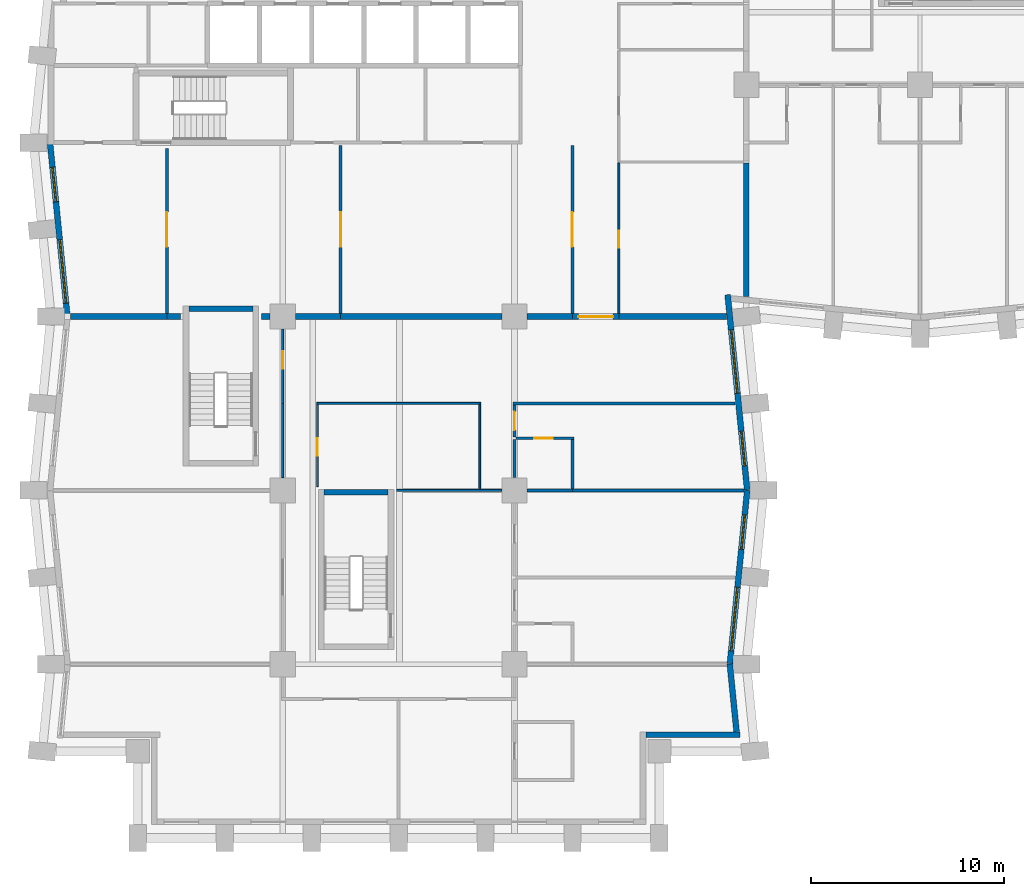
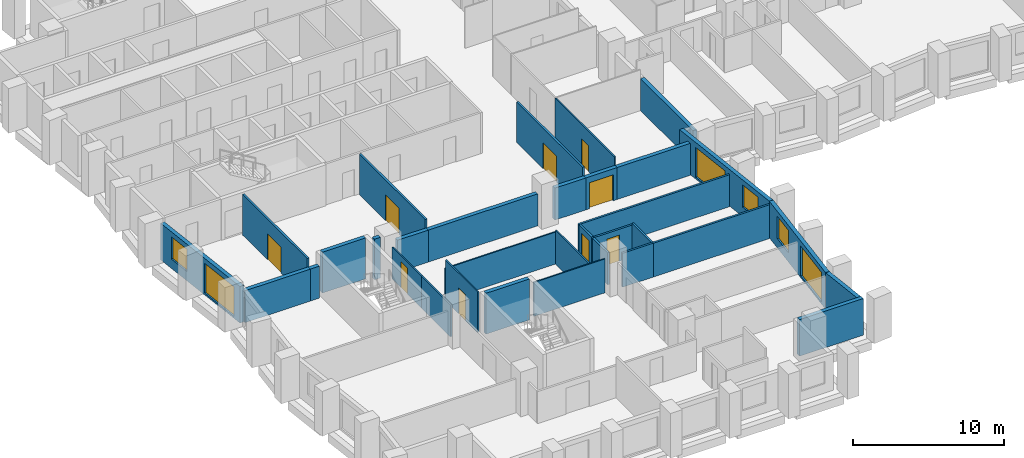
# One storey, part 4 of 12: 33 walls, 9 doors, 6 windows, 15 openings.
"""IFC4 building model written with IfcOpenShell, lengths in metres."""

from ifc_helpers import new_model, si_unit, direction, frame, frame_2d, origin, place, context, subcontext, project, spatial, rectangle, extrude, material, layer, layer_set, type_object, element, fill, save


model = new_model("IFC4")

# Units and contexts
model_context = context("Model", 3, precision=1e-05, world=origin(), true_north=direction((0.0, 1.0)))
body_context = subcontext(model_context, "Body", "Model", "MODEL_VIEW")
ifc_project = project(units=[si_unit("LENGTHUNIT", "METRE"), si_unit("AREAUNIT", "SQUARE_METRE"), si_unit("VOLUMEUNIT", "CUBIC_METRE"), si_unit("PLANEANGLEUNIT", "RADIAN"), si_unit("MASSUNIT", "GRAM", prefix="KILO")], contexts=[model_context])

# Site, building, storey
site_placement = place(None, origin())
site = spatial("IfcSite", under=ifc_project, at=site_placement, CompositionType="ELEMENT")
building_placement = place(site_placement, origin())
building = spatial("IfcBuilding", under=site, at=building_placement, Name="Brondeck Convention Tower", CompositionType="ELEMENT")
storey_placement = place(building_placement, frame((0.0, 0.0, 77.10009765625)))
storey = spatial("IfcBuildingStorey", under=building, at=storey_placement, Name="L17", CompositionType="ELEMENT", Elevation=77.10009765625)

# Walls
ifc_material_1 = material(Name="Concrete compartment wall C30/37", Category="concrete")
ifc_layer_1 = layer(ifc_material_1, 0.300048828125)
ifc_layer_set_1 = layer_set([ifc_layer_1], Name="Compartment wall 300")
wall_type_1 = type_object("IfcWallType", Name="Compartment wall 300", PredefinedType="PARTITIONING", material=ifc_layer_set_1)
wall_1_placement = place(storey_placement, frame((6.0, 27.0, 0.0), z_axis=(0.0, 0.0, 1.0), x_axis=(-1.0, 0.0, 0.0)))
element("IfcWall", 1, at=wall_1_placement, inside=storey, type_object=wall_type_1, Name="FLR-L17-W034", PredefinedType="PARTITIONING", context=body_context, shape_type="SweptSolid", body=[
    extrude(rectangle(XDim=4.97509765625, YDim=0.300048828125, at=frame_2d((2.487548828125, 0.0))), origin(), (0.0, 0.0, 1.0), 2.579833984375),
])
wall_2_placement = place(storey_placement, frame((6.699951171875, 27.0, 0.0), z_axis=(0.0, 0.0, 1.0), x_axis=(-1.0, 0.0, 0.0)))
element("IfcWall", 2, at=wall_2_placement, inside=storey, type_object=wall_type_1, Name="FLR-L17-W035", PredefinedType="PARTITIONING", context=body_context, shape_type="SweptSolid", body=[
    extrude(rectangle(XDim=0.699951171875, YDim=0.300048828125, at=frame_2d((0.35009765625, 0.0))), origin(), (0.0, 0.0, 1.0), 2.579833984375),
])
wall_3_placement = place(storey_placement, frame((11.344970703125, 27.0, 0.0), z_axis=(0.0, 0.0, 1.0), x_axis=(-1.0, 0.0, 0.0)))
element("IfcWall", 3, at=wall_3_placement, inside=storey, type_object=wall_type_1, Name="FLR-L17-W036", PredefinedType="PARTITIONING", context=body_context, shape_type="SweptSolid", body=[
    extrude(rectangle(XDim=0.445068359375, YDim=0.300048828125, at=frame_2d((0.22265625, 0.0))), origin(), (0.0, 0.0, 1.0), 3.27978515625),
])
wall_4_placement = place(storey_placement, frame((15.0, 27.0, 0.0), z_axis=(0.0, 0.0, 1.0), x_axis=(-1.0, 0.0, 0.0)))
element("IfcWall", 4, at=wall_4_placement, inside=storey, type_object=wall_type_1, Name="FLR-L17-W037", PredefinedType="PARTITIONING", context=body_context, shape_type="SweptSolid", body=[
    extrude(rectangle(XDim=2.344970703125, YDim=0.300048828125, at=frame_2d((1.17236328125, 0.0))), origin(), (0.0, 0.0, 1.0), 2.579833984375),
])
wall_5_placement = place(storey_placement, frame((23.344970703125, 27.0, 0.0), z_axis=(0.0, 0.0, 1.0), x_axis=(-1.0, 0.0, 0.0)))
element("IfcWall", 5, at=wall_5_placement, inside=storey, type_object=wall_type_1, Name="FLR-L17-W038", PredefinedType="PARTITIONING", context=body_context, shape_type="SweptSolid", body=[
    extrude(rectangle(XDim=8.344970703125, YDim=0.300048828125, at=frame_2d((4.17236328125, 0.0))), origin(), (0.0, 0.0, 1.0), 2.579833984375),
])
wall_6_placement = place(storey_placement, frame((27.0, 27.0, 0.0), z_axis=(0.0, 0.0, 1.0), x_axis=(-1.0, 0.0, 0.0)))
element("IfcWall", 6, at=wall_6_placement, inside=storey, type_object=wall_type_1, Name="FLR-L17-W039", PredefinedType="PARTITIONING", context=body_context, shape_type="SweptSolid", body=[
    extrude(rectangle(XDim=2.344970703125, YDim=0.300048828125, at=frame_2d((1.17236328125, 0.0))), origin(), (0.0, 0.0, 1.0), 2.579833984375),
])

# Wall, opening, door
wall_7_placement = place(storey_placement, frame((29.39990234375, 27.0, 0.0), z_axis=(0.0, 0.0, 1.0), x_axis=(-1.0, 0.0, 0.0)))
wall_7 = element("IfcWall", 7, at=wall_7_placement, inside=storey, type_object=wall_type_1, Name="FLR-L17-W040", PredefinedType="PARTITIONING", context=body_context, shape_type="SweptSolid", body=[
    extrude(rectangle(XDim=2.39990234375, YDim=0.300048828125, at=frame_2d((1.199951171875, 0.0))), origin(), (0.0, 0.0, 1.0), 2.579833984375),
])
opening_1_placement = place(wall_7_placement, frame((0.300048828125, 0.0, 0.0)))
opening_1 = element("IfcOpeningElement", 8, at=opening_1_placement, cuts=wall_7, Name="Opening H5-043", PredefinedType="OPENING", context=body_context, shape_type="SweptSolid", body=[
    extrude(rectangle(XDim=1.800048828125, YDim=2.10009765625, at=frame_2d((0.89990234375, 1.050048828125))), frame((0.0, 0.159912109375, 0.0), z_axis=(0.0, -1.0, 0.0), x_axis=(1.0, 0.0, 0.0)), (0.0, 0.0, 1.0), 0.320068359375),
])
ifc_material_2 = material(Name="Steel fire door pair", Category="steel")
door_type_1 = type_object("IfcDoorType", Name="Fire door pair 1800", OperationType="DOUBLE_DOOR_SINGLE_SWING", PredefinedType="DOOR", material=ifc_material_2)
door_1_placement = place(opening_1_placement, origin())
door_1 = element("IfcDoor", 9, at=door_1_placement, inside=storey, type_object=door_type_1, Name="Door H5-043", OperationType="DOUBLE_DOOR_SINGLE_SWING", OverallHeight=2.10009765625, OverallWidth=1.800048828125, PredefinedType="DOOR", context=body_context, shape_type="SweptSolid", body=[
    extrude(rectangle(XDim=1.800048828125, YDim=2.10009765625, at=frame_2d((0.89990234375, 1.050048828125))), frame((0.0, 0.02490234375, 0.0), z_axis=(0.0, -1.0, 0.0), x_axis=(1.0, 0.0, 0.0)), (0.0, 0.0, 1.0), 0.050048828125),
])
fill(opening_1, door_1)

# Walls
wall_8_placement = place(storey_placement, frame((34.97509765625, 27.0, 0.0), z_axis=(0.0, 0.0, 1.0), x_axis=(-1.0, 0.0, 0.0)))
element("IfcWall", 10, at=wall_8_placement, inside=storey, type_object=wall_type_1, Name="FLR-L17-W041", PredefinedType="PARTITIONING", context=body_context, shape_type="SweptSolid", body=[
    extrude(rectangle(XDim=5.5751953125, YDim=0.300048828125, at=frame_2d((2.78759765625, 0.0))), origin(), (0.0, 0.0, 1.0), 2.579833984375),
])
wall_9_placement = place(storey_placement, frame((36.0, 34.949951171875, 0.0), z_axis=(0.0, 0.0, 1.0), x_axis=(0.0, -1.0, 0.0)))
element("IfcWall", 11, at=wall_9_placement, inside=storey, type_object=wall_type_1, Name="FLR-L17-W044", PredefinedType="PARTITIONING", context=body_context, shape_type="SweptSolid", body=[
    extrude(rectangle(XDim=6.925048828125, YDim=0.300048828125, at=frame_2d((3.46240234375, 0.0))), origin(), (0.0, 0.0, 1.0), 2.579833984375),
])
ifc_material_3 = material(Name="Precast concrete C50/60 bronze finish", Category="concrete")
ifc_layer_2 = layer(ifc_material_3, 0.070068359375, Name="Bronze precast facing")
ifc_material_4 = material(Name="Mineral wool")
ifc_layer_3 = layer(ifc_material_4, 0.159912109375, Name="Insulation")
ifc_material_5 = material(Name="Concrete C35/45", Category="concrete")
ifc_layer_4 = layer(ifc_material_5, 0.070068359375, Name="Backing")
ifc_layer_set_2 = layer_set([ifc_layer_2, ifc_layer_3, ifc_layer_4], Name="External infill wall, precast concrete C50/60 bronze facing")
wall_type_2 = type_object("IfcWallType", Name="External infill wall, precast concrete C50/60 bronze facing", PredefinedType="SOLIDWALL", material=ifc_layer_set_2)
wall_10_placement = place(storey_placement, frame((35.676513671875, 5.35009765625, 0.0), z_axis=(0.0, 0.0, 1.0), x_axis=(-1.0, 0.0, 0.0)))
element("IfcWall", 12, at=wall_10_placement, inside=storey, type_object=wall_type_2, Name="ENV-EW-L17-P0-NC-SEB0-02", PredefinedType="SOLIDWALL", context=body_context, shape_type="SweptSolid", body=[
    extrude(rectangle(XDim=4.87646484375, YDim=0.300048828125, at=frame_2d((2.438232421875, 0.0))), origin(), (0.0, 0.0, 1.0), 2.949951171875),
])
wall_11_placement = place(storey_placement, frame((35.144287109375, 9.014892578125, 0.0), z_axis=(0.0, 0.0, 1.0), x_axis=(0.099462600847, -0.995041301169, 0.0)))
element("IfcWall", 13, at=wall_11_placement, inside=storey, type_object=wall_type_2, Name="ENV-EW-L17-P0-B-E-04", PredefinedType="SOLIDWALL", context=body_context, shape_type="SweptSolid", body=[
    extrude(rectangle(XDim=3.52734375, YDim=0.300048828125, at=frame_2d((1.763671875, 0.0))), origin(), (0.0, 0.0, 1.0), 2.949951171875),
])

# Wall, openings, windows
wall_12_placement = place(storey_placement, frame((36.04736328125, 18.014892578125, 0.0), z_axis=(0.0, 0.0, 1.0), x_axis=(-0.099522457379, -0.995035316196, 0.0)))
wall_12 = element("IfcWall", 14, at=wall_12_placement, inside=storey, type_object=wall_type_2, Name="ENV-EW-L17-P0-B-E-03", PredefinedType="SOLIDWALL", context=body_context, shape_type="SweptSolid", body=[
    extrude(rectangle(XDim=9.030029296875, YDim=0.300048828125, at=frame_2d((4.51513671875, 0.0))), origin(), (0.0, 0.0, 1.0), 2.949951171875),
])
opening_2_placement = place(wall_12_placement, frame((1.291259765625, 0.0, 0.75)))
opening_2 = element("IfcOpeningElement", 15, at=opening_2_placement, cuts=wall_12, Name="Opening W10", PredefinedType="OPENING", context=body_context, shape_type="SweptSolid", body=[
    extrude(rectangle(XDim=1.800048828125, YDim=1.800048828125, at=frame_2d((0.89990234375, 0.89990234375))), frame((0.0, 0.159912109375, 0.0), z_axis=(0.0, -1.0, 0.0), x_axis=(1.0, 0.0, 0.0)), (0.0, 0.0, 1.0), 0.320068359375),
])
opening_3_placement = place(wall_12_placement, frame((5.063720703125, 0.0, 0.14990234375)))
opening_3 = element("IfcOpeningElement", 16, at=opening_3_placement, cuts=wall_12, Name="Opening W9", PredefinedType="OPENING", context=body_context, shape_type="SweptSolid", body=[
    extrude(rectangle(XDim=3.300048828125, YDim=2.39990234375, at=frame_2d((1.64990234375, 1.199951171875))), frame((0.0, 0.159912109375, 0.0), z_axis=(0.0, -1.0, 0.0), x_axis=(1.0, 0.0, 0.0)), (0.0, 0.0, 1.0), 0.320068359375),
])
ifc_material_6 = material(Name="Bronze tinted double glazing", Category="glass")
window_type_1 = type_object("IfcWindowType", Name="Glazed flute window, bronze tinted", PartitioningType="SINGLE_PANEL", PredefinedType="WINDOW", material=ifc_material_6)
window_1_placement = place(opening_3_placement, origin())
window_1 = element("IfcWindow", 17, at=window_1_placement, inside=storey, type_object=window_type_1, Name="ENV-WN-L17-P0-B-E-03", OverallHeight=2.39990234375, OverallWidth=3.300048828125, PartitioningType="SINGLE_PANEL", PredefinedType="WINDOW", context=body_context, shape_type="SweptSolid", body=[
    extrude(rectangle(XDim=3.300048828125, YDim=2.39990234375, at=frame_2d((1.64990234375, 1.199951171875))), frame((0.0, 0.030029296875, 0.0), z_axis=(0.0, -1.0, 0.0), x_axis=(1.0, 0.0, 0.0)), (0.0, 0.0, 1.0), 0.06005859375),
])
fill(opening_3, window_1)
window_type_2 = type_object("IfcWindowType", Name="Punched window, bronze tinted", PartitioningType="SINGLE_PANEL", PredefinedType="WINDOW", material=ifc_material_6)
window_2_placement = place(opening_2_placement, origin())
window_2 = element("IfcWindow", 18, at=window_2_placement, inside=storey, type_object=window_type_2, Name="ENV-WN-L17-P0-B-E-02", OverallHeight=1.800048828125, OverallWidth=1.800048828125, PartitioningType="SINGLE_PANEL", PredefinedType="WINDOW", context=body_context, shape_type="SweptSolid", body=[
    extrude(rectangle(XDim=1.800048828125, YDim=1.800048828125, at=frame_2d((0.89990234375, 0.89990234375))), frame((0.0, 0.030029296875, 0.0), z_axis=(0.0, -1.0, 0.0), x_axis=(1.0, 0.0, 0.0)), (0.0, 0.0, 1.0), 0.06005859375),
])
fill(opening_2, window_2)

wall_13_placement = place(storey_placement, frame((35.03271484375, 28.131591796875, 0.0), z_axis=(0.0, 0.0, 1.0), x_axis=(0.099487051997, -0.995038856771, 0.0)))
wall_13 = element("IfcWall", 19, at=wall_13_placement, inside=storey, type_object=wall_type_2, Name="ENV-EW-L17-P0-B-E-01", PredefinedType="SOLIDWALL", context=body_context, shape_type="SweptSolid", body=[
    extrude(rectangle(XDim=10.152099609375, YDim=0.300048828125, at=frame_2d((5.076171875, 0.0))), origin(), (0.0, 0.0, 1.0), 2.949951171875),
])
opening_4_placement = place(wall_13_placement, frame((1.83349609375, 0.0, 0.14990234375)))
opening_4 = element("IfcOpeningElement", 20, at=opening_4_placement, cuts=wall_13, Name="Opening W9", PredefinedType="OPENING", context=body_context, shape_type="SweptSolid", body=[
    extrude(rectangle(XDim=3.300048828125, YDim=2.39990234375, at=frame_2d((1.64990234375, 1.199951171875))), frame((0.0, 0.159912109375, 0.0), z_axis=(0.0, -1.0, 0.0), x_axis=(1.0, 0.0, 0.0)), (0.0, 0.0, 1.0), 0.320068359375),
])
opening_5_placement = place(wall_13_placement, frame((7.10595703125, 0.0, 0.75)))
opening_5 = element("IfcOpeningElement", 21, at=opening_5_placement, cuts=wall_13, Name="Opening W10", PredefinedType="OPENING", context=body_context, shape_type="SweptSolid", body=[
    extrude(rectangle(XDim=1.800048828125, YDim=1.800048828125, at=frame_2d((0.89990234375, 0.89990234375))), frame((0.0, 0.159912109375, 0.0), z_axis=(0.0, -1.0, 0.0), x_axis=(1.0, 0.0, 0.0)), (0.0, 0.0, 1.0), 0.320068359375),
])
window_3_placement = place(opening_4_placement, origin())
window_3 = element("IfcWindow", 22, at=window_3_placement, inside=storey, type_object=window_type_1, Name="ENV-WN-L17-P0-B-E-00", OverallHeight=2.39990234375, OverallWidth=3.300048828125, PartitioningType="SINGLE_PANEL", PredefinedType="WINDOW", context=body_context, shape_type="SweptSolid", body=[
    extrude(rectangle(XDim=3.300048828125, YDim=2.39990234375, at=frame_2d((1.64990234375, 1.199951171875))), frame((0.0, 0.030029296875, 0.0), z_axis=(0.0, -1.0, 0.0), x_axis=(1.0, 0.0, 0.0)), (0.0, 0.0, 1.0), 0.06005859375),
])
fill(opening_4, window_3)
window_4_placement = place(opening_5_placement, origin())
window_4 = element("IfcWindow", 23, at=window_4_placement, inside=storey, type_object=window_type_2, Name="ENV-WN-L17-P0-B-E-01", OverallHeight=1.800048828125, OverallWidth=1.800048828125, PartitioningType="SINGLE_PANEL", PredefinedType="WINDOW", context=body_context, shape_type="SweptSolid", body=[
    extrude(rectangle(XDim=1.800048828125, YDim=1.800048828125, at=frame_2d((0.89990234375, 0.89990234375))), frame((0.0, 0.030029296875, 0.0), z_axis=(0.0, -1.0, 0.0), x_axis=(1.0, 0.0, 0.0)), (0.0, 0.0, 1.0), 0.06005859375),
])
fill(opening_5, window_4)

wall_14_placement = place(storey_placement, frame((0.855712890625, 26.985107421875, 0.0), z_axis=(0.0, 0.0, 1.0), x_axis=(-0.099503719021, 0.99503719021, 0.0)))
wall_14 = element("IfcWall", 24, at=wall_14_placement, inside=storey, type_object=wall_type_2, Name="ENV-EW-L17-P0-B-W-06", PredefinedType="SOLIDWALL", context=body_context, shape_type="SweptSolid", body=[
    extrude(rectangle(XDim=8.994873046875, YDim=0.300048828125, at=frame_2d((4.49755859375, 0.0))), origin(), (0.0, 0.0, 1.0), 2.949951171875),
])
opening_6_placement = place(wall_14_placement, frame((0.711181640625, 0.0, 0.14990234375)))
opening_6 = element("IfcOpeningElement", 25, at=opening_6_placement, cuts=wall_14, Name="Opening W9", PredefinedType="OPENING", context=body_context, shape_type="SweptSolid", body=[
    extrude(rectangle(XDim=3.300048828125, YDim=2.39990234375, at=frame_2d((1.64990234375, 1.199951171875))), frame((0.0, 0.159912109375, 0.0), z_axis=(0.0, -1.0, 0.0), x_axis=(1.0, 0.0, 0.0)), (0.0, 0.0, 1.0), 0.320068359375),
])
opening_7_placement = place(wall_14_placement, frame((5.983642578125, 0.0, 0.75)))
opening_7 = element("IfcOpeningElement", 26, at=opening_7_placement, cuts=wall_14, Name="Opening W10", PredefinedType="OPENING", context=body_context, shape_type="SweptSolid", body=[
    extrude(rectangle(XDim=1.800048828125, YDim=1.800048828125, at=frame_2d((0.89990234375, 0.89990234375))), frame((0.0, 0.159912109375, 0.0), z_axis=(0.0, -1.0, 0.0), x_axis=(1.0, 0.0, 0.0)), (0.0, 0.0, 1.0), 0.320068359375),
])
window_5_placement = place(opening_6_placement, origin())
window_5 = element("IfcWindow", 27, at=window_5_placement, inside=storey, type_object=window_type_1, Name="ENV-WN-L17-P0-B-W-07", OverallHeight=2.39990234375, OverallWidth=3.300048828125, PartitioningType="SINGLE_PANEL", PredefinedType="WINDOW", context=body_context, shape_type="SweptSolid", body=[
    extrude(rectangle(XDim=3.300048828125, YDim=2.39990234375, at=frame_2d((1.64990234375, 1.199951171875))), frame((0.0, 0.030029296875, 0.0), z_axis=(0.0, -1.0, 0.0), x_axis=(1.0, 0.0, 0.0)), (0.0, 0.0, 1.0), 0.06005859375),
])
fill(opening_6, window_5)
window_6_placement = place(opening_7_placement, origin())
window_6 = element("IfcWindow", 28, at=window_6_placement, inside=storey, type_object=window_type_2, Name="ENV-WN-L17-P0-B-W-06", OverallHeight=1.800048828125, OverallWidth=1.800048828125, PartitioningType="SINGLE_PANEL", PredefinedType="WINDOW", context=body_context, shape_type="SweptSolid", body=[
    extrude(rectangle(XDim=1.800048828125, YDim=1.800048828125, at=frame_2d((0.89990234375, 0.89990234375))), frame((0.0, 0.030029296875, 0.0), z_axis=(0.0, -1.0, 0.0), x_axis=(1.0, 0.0, 0.0)), (0.0, 0.0, 1.0), 0.06005859375),
])
fill(opening_7, window_6)

# Walls
ifc_material_7 = material(Name="Double gypsum board acoustic wall")
ifc_layer_5 = layer(ifc_material_7, 0.14990234375)
ifc_layer_set_3 = layer_set([ifc_layer_5], Name="Guest room party wall 150")
wall_type_3 = type_object("IfcWallType", Name="Guest room party wall 150", PredefinedType="PARTITIONING", material=ifc_layer_set_3)
wall_15_placement = place(storey_placement, frame((27.0, 18.0, 0.0), z_axis=(0.0, 0.0, 1.0), x_axis=(-1.0, 0.0, 0.0)))
element("IfcWall", 29, at=wall_15_placement, inside=storey, type_object=wall_type_3, Name="FLR-L17-W022", PredefinedType="PARTITIONING", context=body_context, shape_type="SweptSolid", body=[
    extrude(rectangle(XDim=2.344970703125, YDim=0.14990234375, at=frame_2d((1.17236328125, 0.0))), origin(), (0.0, 0.0, 1.0), 2.72998046875),
])
wall_16_placement = place(storey_placement, frame((35.875, 18.0, 0.0), z_axis=(0.0, 0.0, 1.0), x_axis=(-1.0, 0.0, 0.0)))
element("IfcWall", 30, at=wall_16_placement, inside=storey, type_object=wall_type_3, Name="FLR-L17-W023", PredefinedType="PARTITIONING", context=body_context, shape_type="SweptSolid", body=[
    extrude(rectangle(XDim=8.875, YDim=0.14990234375, at=frame_2d((4.4375, 0.0))), origin(), (0.0, 0.0, 1.0), 2.72998046875),
])
wall_17_placement = place(storey_placement, frame((27.0, 18.074951171875, 0.0), z_axis=(0.0, 0.0, 1.0), x_axis=(0.0, 1.0, 0.0)))
element("IfcWall", 31, at=wall_17_placement, inside=storey, type_object=wall_type_3, Name="FLR-L17-W025", PredefinedType="PARTITIONING", context=body_context, shape_type="SweptSolid", body=[
    extrude(rectangle(XDim=2.550048828125, YDim=0.14990234375, at=frame_2d((1.27490234375, 0.0))), origin(), (0.0, 0.0, 1.0), 2.72998046875),
])
wall_18_placement = place(storey_placement, frame((24.0, 20.625, 0.0), z_axis=(0.0, 0.0, 1.0), x_axis=(0.0, -1.0, 0.0)))
element("IfcWall", 32, at=wall_18_placement, inside=storey, type_object=wall_type_3, Name="FLR-L17-W026", PredefinedType="PARTITIONING", context=body_context, shape_type="SweptSolid", body=[
    extrude(rectangle(XDim=1.969970703125, YDim=0.14990234375, at=frame_2d((0.98486328125, 0.0))), origin(), (0.0, 0.0, 1.0), 2.579833984375),
])

# Wall, opening, door
wall_19_placement = place(storey_placement, frame((27.074951171875, 20.699951171875, 0.0), z_axis=(0.0, 0.0, 1.0), x_axis=(-1.0, 0.0, 0.0)))
wall_19 = element("IfcWall", 33, at=wall_19_placement, inside=storey, type_object=wall_type_3, Name="FLR-L17-W027", PredefinedType="PARTITIONING", context=body_context, shape_type="SweptSolid", body=[
    extrude(rectangle(XDim=3.0, YDim=0.14990234375, at=frame_2d((1.5, 0.0))), origin(), (0.0, 0.0, 1.0), 2.579833984375),
])
opening_8_placement = place(wall_19_placement, frame((1.10009765625, 0.0, 0.0)))
opening_8 = element("IfcOpeningElement", 34, at=opening_8_placement, cuts=wall_19, Name="Opening H5-025", PredefinedType="OPENING", context=body_context, shape_type="SweptSolid", body=[
    extrude(rectangle(XDim=0.949951171875, YDim=2.10009765625, at=frame_2d((0.47509765625, 1.050048828125))), frame((0.0, 0.0849609375, 0.0), z_axis=(0.0, -1.0, 0.0), x_axis=(1.0, 0.0, 0.0)), (0.0, 0.0, 1.0), 0.169921875),
])
ifc_material_8 = material(Name="Solid timber door leaf", Category="wood")
door_type_2 = type_object("IfcDoorType", Name="Accessible door 950", OperationType="NOTDEFINED", PredefinedType="DOOR", material=ifc_material_8)
door_2_placement = place(opening_8_placement, origin())
door_2 = element("IfcDoor", 35, at=door_2_placement, inside=storey, type_object=door_type_2, Name="Door H5-025", OperationType="SINGLE_SWING_LEFT", OverallHeight=2.10009765625, OverallWidth=0.949951171875, PredefinedType="DOOR", context=body_context, shape_type="SweptSolid", body=[
    extrude(rectangle(XDim=0.949951171875, YDim=2.10009765625, at=frame_2d((0.47509765625, 1.050048828125))), frame((0.0, 0.02490234375, 0.0), z_axis=(0.0, -1.0, 0.0), x_axis=(1.0, 0.0, 0.0)), (0.0, 0.0, 1.0), 0.050048828125),
])
fill(opening_8, door_2)

wall_20_placement = place(storey_placement, frame((24.0, 22.425048828125, 0.0), z_axis=(0.0, 0.0, 1.0), x_axis=(0.0, -1.0, 0.0)))
wall_20 = element("IfcWall", 36, at=wall_20_placement, inside=storey, type_object=wall_type_3, Name="FLR-L17-W028", PredefinedType="PARTITIONING", context=body_context, shape_type="SweptSolid", body=[
    extrude(rectangle(XDim=1.650146484375, YDim=0.14990234375, at=frame_2d((0.8251953125, 0.0))), origin(), (0.0, 0.0, 1.0), 2.579833984375),
])
opening_9_placement = place(wall_20_placement, frame((0.35009765625, 0.0, 0.0)))
opening_9 = element("IfcOpeningElement", 37, at=opening_9_placement, cuts=wall_20, Name="Opening H5-024", PredefinedType="OPENING", context=body_context, shape_type="SweptSolid", body=[
    extrude(rectangle(XDim=0.949951171875, YDim=2.10009765625, at=frame_2d((0.47509765625, 1.050048828125))), frame((0.0, 0.0849609375, 0.0), z_axis=(0.0, -1.0, 0.0), x_axis=(1.0, 0.0, 0.0)), (0.0, 0.0, 1.0), 0.169921875),
])
door_3_placement = place(opening_9_placement, origin())
door_3 = element("IfcDoor", 38, at=door_3_placement, inside=storey, type_object=door_type_2, Name="Door H5-024", OperationType="SINGLE_SWING_LEFT", OverallHeight=2.10009765625, OverallWidth=0.949951171875, PredefinedType="DOOR", context=body_context, shape_type="SweptSolid", body=[
    extrude(rectangle(XDim=0.949951171875, YDim=2.10009765625, at=frame_2d((0.47509765625, 1.050048828125))), frame((0.0, 0.02490234375, 0.0), z_axis=(0.0, -1.0, 0.0), x_axis=(1.0, 0.0, 0.0)), (0.0, 0.0, 1.0), 0.050048828125),
])
fill(opening_9, door_3)

# Wall
wall_21_placement = place(storey_placement, frame((35.425048828125, 22.5, 0.0), z_axis=(0.0, 0.0, 1.0), x_axis=(-1.0, 0.0, 0.0)))
element("IfcWall", 39, at=wall_21_placement, inside=storey, type_object=wall_type_3, Name="FLR-L17-W033", PredefinedType="PARTITIONING", context=body_context, shape_type="SweptSolid", body=[
    extrude(rectangle(XDim=11.5, YDim=0.14990234375, at=frame_2d((5.75, 0.0))), origin(), (0.0, 0.0, 1.0), 2.579833984375),
])

# Wall, opening, door
wall_22_placement = place(storey_placement, frame((27.0, 27.14990234375, 0.0), z_axis=(0.0, 0.0, 1.0), x_axis=(0.0, 1.0, 0.0)))
wall_22 = element("IfcWall", 40, at=wall_22_placement, inside=storey, type_object=wall_type_3, Name="FLR-L17-W042", PredefinedType="PARTITIONING", context=body_context, shape_type="SweptSolid", body=[
    extrude(rectangle(XDim=8.7001953125, YDim=0.14990234375, at=frame_2d((4.35009765625, 0.0))), origin(), (0.0, 0.0, 1.0), 3.27978515625),
])
opening_10_placement = place(wall_22_placement, frame((3.449951171875, 0.0, 0.0)))
opening_10 = element("IfcOpeningElement", 41, at=opening_10_placement, cuts=wall_22, Name="Opening H5-039", PredefinedType="OPENING", context=body_context, shape_type="SweptSolid", body=[
    extrude(rectangle(XDim=1.800048828125, YDim=2.10009765625, at=frame_2d((0.89990234375, 1.050048828125))), frame((0.0, 0.0849609375, 0.0), z_axis=(0.0, -1.0, 0.0), x_axis=(1.0, 0.0, 0.0)), (0.0, 0.0, 1.0), 0.169921875),
])
ifc_material_9 = material(Name="Glazed timber double door", Category="wood")
door_type_3 = type_object("IfcDoorType", Name="Double door 1800", OperationType="DOUBLE_DOOR_SINGLE_SWING", PredefinedType="DOOR", material=ifc_material_9)
door_4_placement = place(opening_10_placement, origin())
door_4 = element("IfcDoor", 42, at=door_4_placement, inside=storey, type_object=door_type_3, Name="Door H5-039", OperationType="DOUBLE_DOOR_SINGLE_SWING", OverallHeight=2.10009765625, OverallWidth=1.800048828125, PredefinedType="DOOR", context=body_context, shape_type="SweptSolid", body=[
    extrude(rectangle(XDim=1.800048828125, YDim=2.10009765625, at=frame_2d((0.89990234375, 1.050048828125))), frame((0.0, 0.02490234375, 0.0), z_axis=(0.0, -1.0, 0.0), x_axis=(1.0, 0.0, 0.0)), (0.0, 0.0, 1.0), 0.050048828125),
])
fill(opening_10, door_4)

wall_23_placement = place(storey_placement, frame((6.0, 27.14990234375, 0.0), z_axis=(0.0, 0.0, 1.0), x_axis=(0.0, 1.0, 0.0)))
wall_23 = element("IfcWall", 43, at=wall_23_placement, inside=storey, type_object=wall_type_3, Name="FLR-L17-W046", PredefinedType="PARTITIONING", context=body_context, shape_type="SweptSolid", body=[
    extrude(rectangle(XDim=8.550048828125, YDim=0.14990234375, at=frame_2d((4.27490234375, 0.0))), origin(), (0.0, 0.0, 1.0), 3.27978515625),
])
opening_11_placement = place(wall_23_placement, frame((3.449951171875, 0.0, 0.0)))
opening_11 = element("IfcOpeningElement", 44, at=opening_11_placement, cuts=wall_23, Name="Opening H5-040", PredefinedType="OPENING", context=body_context, shape_type="SweptSolid", body=[
    extrude(rectangle(XDim=1.800048828125, YDim=2.10009765625, at=frame_2d((0.89990234375, 1.050048828125))), frame((0.0, 0.0849609375, 0.0), z_axis=(0.0, -1.0, 0.0), x_axis=(1.0, 0.0, 0.0)), (0.0, 0.0, 1.0), 0.169921875),
])
door_5_placement = place(opening_11_placement, origin())
door_5 = element("IfcDoor", 45, at=door_5_placement, inside=storey, type_object=door_type_3, Name="Door H5-040", OperationType="DOUBLE_DOOR_SINGLE_SWING", OverallHeight=2.10009765625, OverallWidth=1.800048828125, PredefinedType="DOOR", context=body_context, shape_type="SweptSolid", body=[
    extrude(rectangle(XDim=1.800048828125, YDim=2.10009765625, at=frame_2d((0.89990234375, 1.050048828125))), frame((0.0, 0.02490234375, 0.0), z_axis=(0.0, -1.0, 0.0), x_axis=(1.0, 0.0, 0.0)), (0.0, 0.0, 1.0), 0.050048828125),
])
fill(opening_11, door_5)

wall_24_placement = place(storey_placement, frame((15.0, 27.14990234375, 0.0), z_axis=(0.0, 0.0, 1.0), x_axis=(0.0, 1.0, 0.0)))
wall_24 = element("IfcWall", 46, at=wall_24_placement, inside=storey, type_object=wall_type_3, Name="FLR-L17-W047", PredefinedType="PARTITIONING", context=body_context, shape_type="SweptSolid", body=[
    extrude(rectangle(XDim=8.7001953125, YDim=0.14990234375, at=frame_2d((4.35009765625, 0.0))), origin(), (0.0, 0.0, 1.0), 3.27978515625),
])
opening_12_placement = place(wall_24_placement, frame((3.449951171875, 0.0, 0.0)))
opening_12 = element("IfcOpeningElement", 47, at=opening_12_placement, cuts=wall_24, Name="Opening H5-041", PredefinedType="OPENING", context=body_context, shape_type="SweptSolid", body=[
    extrude(rectangle(XDim=1.800048828125, YDim=2.10009765625, at=frame_2d((0.89990234375, 1.050048828125))), frame((0.0, 0.0849609375, 0.0), z_axis=(0.0, -1.0, 0.0), x_axis=(1.0, 0.0, 0.0)), (0.0, 0.0, 1.0), 0.169921875),
])
door_6_placement = place(opening_12_placement, origin())
door_6 = element("IfcDoor", 48, at=door_6_placement, inside=storey, type_object=door_type_3, Name="Door H5-041", OperationType="DOUBLE_DOOR_SINGLE_SWING", OverallHeight=2.10009765625, OverallWidth=1.800048828125, PredefinedType="DOOR", context=body_context, shape_type="SweptSolid", body=[
    extrude(rectangle(XDim=1.800048828125, YDim=2.10009765625, at=frame_2d((0.89990234375, 1.050048828125))), frame((0.0, 0.02490234375, 0.0), z_axis=(0.0, -1.0, 0.0), x_axis=(1.0, 0.0, 0.0)), (0.0, 0.0, 1.0), 0.050048828125),
])
fill(opening_12, door_6)

# Walls
ifc_material_10 = material(Name="Gypsum board partition on steel studs", Category="steel")
ifc_layer_6 = layer(ifc_material_10, 0.10009765625)
ifc_layer_set_4 = layer_set([ifc_layer_6], Name="Room partition 100")
wall_type_4 = type_object("IfcWallType", Name="Room partition 100", PredefinedType="PARTITIONING", material=ifc_layer_set_4)
wall_25_placement = place(storey_placement, frame((23.330078125, 18.0, 0.0), z_axis=(0.0, 0.0, 1.0), x_axis=(-1.0, 0.0, 0.0)))
element("IfcWall", 49, at=wall_25_placement, inside=storey, type_object=wall_type_4, Name="FLR-L17-W021", PredefinedType="PARTITIONING", context=body_context, shape_type="SweptSolid", body=[
    extrude(rectangle(XDim=5.43017578125, YDim=0.10009765625, at=frame_2d((2.715087890625, 0.0))), origin(), (0.0, 0.0, 1.0), 2.72998046875),
])
wall_26_placement = place(storey_placement, frame((22.199951171875, 18.050048828125, 0.0), z_axis=(0.0, 0.0, 1.0), x_axis=(0.0, 1.0, 0.0)))
element("IfcWall", 50, at=wall_26_placement, inside=storey, type_object=wall_type_4, Name="FLR-L17-W024", PredefinedType="PARTITIONING", context=body_context, shape_type="SweptSolid", body=[
    extrude(rectangle(XDim=4.39990234375, YDim=0.10009765625, at=frame_2d((2.199951171875, 0.0))), origin(), (0.0, 0.0, 1.0), 2.72998046875),
])

# Wall, opening, door
wall_27_placement = place(storey_placement, frame((13.800048828125, 22.449951171875, 0.0), z_axis=(0.0, 0.0, 1.0), x_axis=(0.0, -1.0, 0.0)))
wall_27 = element("IfcWall", 51, at=wall_27_placement, inside=storey, type_object=wall_type_4, Name="FLR-L17-W029", PredefinedType="PARTITIONING", context=body_context, shape_type="SweptSolid", body=[
    extrude(rectangle(XDim=4.25, YDim=0.10009765625, at=frame_2d((2.125, 0.0))), origin(), (0.0, 0.0, 1.0), 3.27978515625),
])
opening_13_placement = place(wall_27_placement, frame((1.75, 0.0, 0.0)))
opening_13 = element("IfcOpeningElement", 52, at=opening_13_placement, cuts=wall_27, Name="Opening H5-029", PredefinedType="OPENING", context=body_context, shape_type="SweptSolid", body=[
    extrude(rectangle(XDim=0.89990234375, YDim=2.10009765625, at=frame_2d((0.449951171875, 1.050048828125))), frame((0.0, 0.06005859375, 0.0), z_axis=(0.0, -1.0, 0.0), x_axis=(1.0, 0.0, 0.0)), (0.0, 0.0, 1.0), 0.1201171875),
])
door_type_4 = type_object("IfcDoorType", Name="Single door 900", OperationType="NOTDEFINED", PredefinedType="DOOR", material=ifc_material_8)
door_7_placement = place(opening_13_placement, origin())
door_7 = element("IfcDoor", 53, at=door_7_placement, inside=storey, type_object=door_type_4, Name="Door H5-029", OperationType="SINGLE_SWING_LEFT", OverallHeight=2.10009765625, OverallWidth=0.89990234375, PredefinedType="DOOR", context=body_context, shape_type="SweptSolid", body=[
    extrude(rectangle(XDim=0.89990234375, YDim=2.10009765625, at=frame_2d((0.449951171875, 1.050048828125))), frame((0.0, 0.02490234375, 0.0), z_axis=(0.0, -1.0, 0.0), x_axis=(1.0, 0.0, 0.0)), (0.0, 0.0, 1.0), 0.050048828125),
])
fill(opening_13, door_7)

# Wall
wall_28_placement = place(storey_placement, frame((12.0, 22.5, 0.0), z_axis=(0.0, 0.0, 1.0), x_axis=(0.0, -1.0, 0.0)))
element("IfcWall", 54, at=wall_28_placement, inside=storey, type_object=wall_type_4, Name="FLR-L17-W030", PredefinedType="PARTITIONING", context=body_context, shape_type="SweptSolid", body=[
    extrude(rectangle(XDim=3.844970703125, YDim=0.10009765625, at=frame_2d((1.92236328125, 0.0))), origin(), (0.0, 0.0, 1.0), 2.579833984375),
])

# Wall, opening, door
wall_29_placement = place(storey_placement, frame((12.0, 26.344970703125, 0.0), z_axis=(0.0, 0.0, 1.0), x_axis=(0.0, -1.0, 0.0)))
wall_29 = element("IfcWall", 55, at=wall_29_placement, inside=storey, type_object=wall_type_4, Name="FLR-L17-W031", PredefinedType="PARTITIONING", context=body_context, shape_type="SweptSolid", body=[
    extrude(rectangle(XDim=3.844970703125, YDim=0.10009765625, at=frame_2d((1.92236328125, 0.0))), origin(), (0.0, 0.0, 1.0), 2.579833984375),
])
opening_14_placement = place(wall_29_placement, frame((1.14501953125, 0.0, 0.0)))
opening_14 = element("IfcOpeningElement", 56, at=opening_14_placement, cuts=wall_29, Name="Opening H5-022", PredefinedType="OPENING", context=body_context, shape_type="SweptSolid", body=[
    extrude(rectangle(XDim=0.89990234375, YDim=2.10009765625, at=frame_2d((0.449951171875, 1.050048828125))), frame((0.0, 0.06005859375, 0.0), z_axis=(0.0, -1.0, 0.0), x_axis=(1.0, 0.0, 0.0)), (0.0, 0.0, 1.0), 0.1201171875),
])
door_8_placement = place(opening_14_placement, origin())
door_8 = element("IfcDoor", 57, at=door_8_placement, inside=storey, type_object=door_type_4, Name="Door H5-022", OperationType="SINGLE_SWING_LEFT", OverallHeight=2.10009765625, OverallWidth=0.89990234375, PredefinedType="DOOR", context=body_context, shape_type="SweptSolid", body=[
    extrude(rectangle(XDim=0.89990234375, YDim=2.10009765625, at=frame_2d((0.449951171875, 1.050048828125))), frame((0.0, 0.02490234375, 0.0), z_axis=(0.0, -1.0, 0.0), x_axis=(1.0, 0.0, 0.0)), (0.0, 0.0, 1.0), 0.050048828125),
])
fill(opening_14, door_8)

# Wall
wall_30_placement = place(storey_placement, frame((22.25, 22.5, 0.0), z_axis=(0.0, 0.0, 1.0), x_axis=(-1.0, 0.0, 0.0)))
element("IfcWall", 58, at=wall_30_placement, inside=storey, type_object=wall_type_4, Name="FLR-L17-W032", PredefinedType="PARTITIONING", context=body_context, shape_type="SweptSolid", body=[
    extrude(rectangle(XDim=8.5, YDim=0.10009765625, at=frame_2d((4.25, 0.0))), origin(), (0.0, 0.0, 1.0), 2.579833984375),
])

# Wall, opening, door
wall_31_placement = place(storey_placement, frame((29.39990234375, 34.949951171875, 0.0), z_axis=(0.0, 0.0, 1.0), x_axis=(0.0, -1.0, 0.0)))
wall_31 = element("IfcWall", 59, at=wall_31_placement, inside=storey, type_object=wall_type_4, Name="FLR-L17-W043", PredefinedType="PARTITIONING", context=body_context, shape_type="SweptSolid", body=[
    extrude(rectangle(XDim=7.800048828125, YDim=0.10009765625, at=frame_2d((3.89990234375, 0.0))), origin(), (0.0, 0.0, 1.0), 3.27978515625),
])
opening_15_placement = place(wall_31_placement, frame((3.5, 0.0, 0.0)))
opening_15 = element("IfcOpeningElement", 60, at=opening_15_placement, cuts=wall_31, Name="Opening H5-038", PredefinedType="OPENING", context=body_context, shape_type="SweptSolid", body=[
    extrude(rectangle(XDim=0.89990234375, YDim=2.10009765625, at=frame_2d((0.449951171875, 1.050048828125))), frame((0.0, 0.06005859375, 0.0), z_axis=(0.0, -1.0, 0.0), x_axis=(1.0, 0.0, 0.0)), (0.0, 0.0, 1.0), 0.1201171875),
])
door_9_placement = place(opening_15_placement, origin())
door_9 = element("IfcDoor", 61, at=door_9_placement, inside=storey, type_object=door_type_4, Name="Door H5-038", OperationType="SINGLE_SWING_LEFT", OverallHeight=2.10009765625, OverallWidth=0.89990234375, PredefinedType="DOOR", context=body_context, shape_type="SweptSolid", body=[
    extrude(rectangle(XDim=0.89990234375, YDim=2.10009765625, at=frame_2d((0.449951171875, 1.050048828125))), frame((0.0, 0.02490234375, 0.0), z_axis=(0.0, -1.0, 0.0), x_axis=(1.0, 0.0, 0.0)), (0.0, 0.0, 1.0), 0.050048828125),
])
fill(opening_15, door_9)

# Walls
ifc_material_11 = material(Name="Concrete C80/95", Category="concrete")
ifc_layer_7 = layer(ifc_material_11, 0.300048828125)
ifc_layer_set_5 = layer_set([ifc_layer_7], Name="Stair enclosure wall 300 Concrete C80/95")
wall_type_5 = type_object("IfcWallType", Name="Stair enclosure wall 300 Concrete C80/95", PredefinedType="SHEAR", material=ifc_layer_set_5)
for number, where, z_axis, x_axis, name in (
    (62, (14.14990234375, 17.89990234375, 0.0), (0.0, 0.0, 1.0), (1.0, 0.0, 0.0), "L17 core wall"),
    (63, (7.14990234375, 27.39990234375, 0.0), (0.0, 0.0, 1.0), (1.0, 0.0, 0.0), "L17 core wall"),
):
    element("IfcWall", number, at=place(storey_placement, frame(where, z_axis=z_axis, x_axis=x_axis)), inside=storey, type_object=wall_type_5, Name=name, PredefinedType="SHEAR", context=body_context, shape_type="SweptSolid", body=[
        extrude(rectangle(XDim=3.300048828125, YDim=0.300048828125, at=frame_2d((1.64990234375, 0.0))), origin(), (0.0, 0.0, 1.0), 3.2998046875),
    ])

save(model, "model.ifc")
